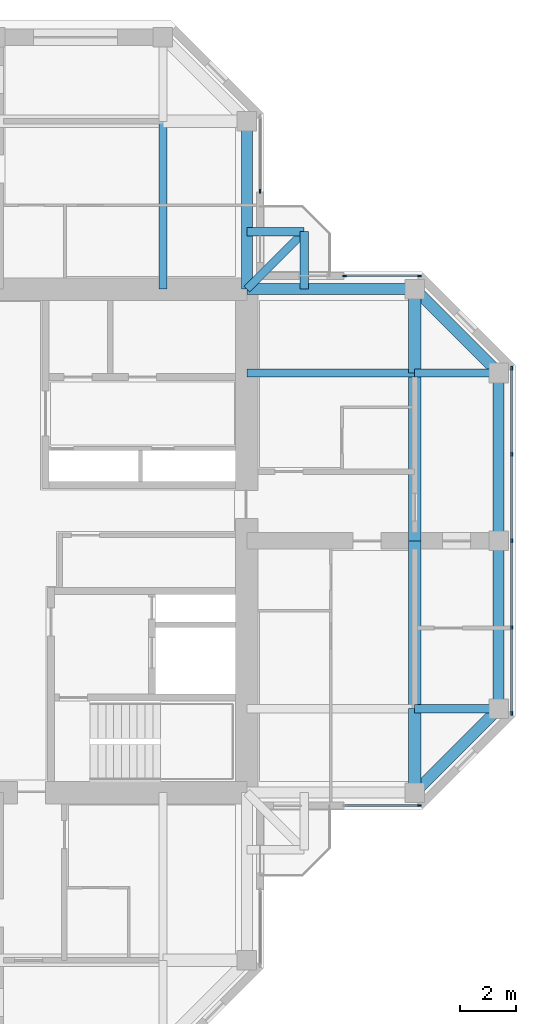
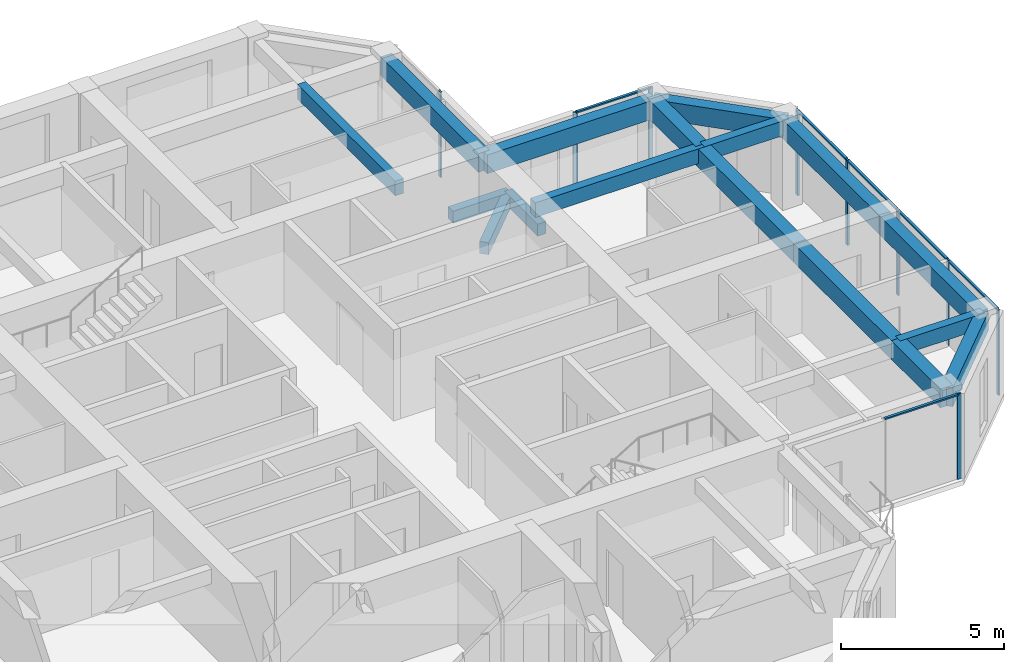
# One storey, part 5 of 13: 17 beams, 15 members, 4 elements without a shape of their own.
"""IFC4 building model written with IfcOpenShell, lengths in metres."""

from ifc_helpers import new_model, si_unit, direction, frame, origin, origin_2d, place, context, subcontext, project, spatial, rectangle, extrude, material, material_profile, profile_set, type_object, element, aggregate, save


model = new_model("IFC4")

# Units and contexts
model_context = context("Model", 3, precision=1e-05, world=origin(), true_north=direction((0.0, 1.0)))
body_context = subcontext(model_context, "Body", "Model", "MODEL_VIEW")
ifc_project = project(units=[si_unit("LENGTHUNIT", "METRE"), si_unit("AREAUNIT", "SQUARE_METRE"), si_unit("VOLUMEUNIT", "CUBIC_METRE"), si_unit("PLANEANGLEUNIT", "RADIAN"), si_unit("MASSUNIT", "GRAM", prefix="KILO")], contexts=[model_context])

# Site, building, storey
site_placement = place(None, origin())
site = spatial("IfcSite", under=ifc_project, at=site_placement, CompositionType="ELEMENT")
building_placement = place(site_placement, origin())
building = spatial("IfcBuilding", under=site, at=building_placement, Name="Torre Cruceta", CompositionType="ELEMENT")
storey_placement = place(building_placement, frame((0.0, 0.0, 284.89990234375)))
storey = spatial("IfcBuildingStorey", under=building, at=storey_placement, Name="L74", CompositionType="ELEMENT", Elevation=284.89990234375)

# Beams
ifc_material_1 = material(Name="Concrete G60 (fck 60 MPa)", Category="concrete")
ifc_material_profile_1 = material_profile(ifc_material_1, rectangle(XDim=0.300048828125, YDim=0.449951171875, at=origin_2d()), Name="RC 300X450")
ifc_profile_set_1 = profile_set([ifc_material_profile_1], Name="Concrete G60 (fck 60 MPa)")
beam_type_1 = type_object("IfcBeamType", Name="BALCONY CANTILEVER BEAM RC 300X450", PredefinedType="BEAM", material=ifc_profile_set_1)
beam_1_placement = place(storey_placement, frame((9.0, 9.0, -0.40478515625), z_axis=(0.707106781187, 0.707106781187, 0.0), x_axis=(-0.707106781187, 0.707106781187, 0.0)))
element("IfcBeam", 1, at=beam_1_placement, inside=storey, type_object=beam_type_1, Name="BB1 balcony beam L74 E", PredefinedType="BEAM", context=body_context, shape_type="SweptSolid", body=[
    extrude(rectangle(XDim=0.300048828125, YDim=0.449951171875, at=origin_2d()), origin(), (0.0, 0.0, 1.0), 2.89990234375),
])
for number, where, z_axis, x_axis, name in (
    (2, (11.050537109375, 9.0, -0.40478515625), (0.0, 1.0, 0.0), (-1.0, 0.0, 0.0), "BB1 balcony edge beam L74 E-X"),
    (3, (9.0, 11.050537109375, -0.40478515625), (1.0, 0.0, 0.0), (0.0, 1.0, 0.0), "BB1 balcony edge beam L74 E-Y"),
):
    element("IfcBeam", number, at=place(storey_placement, frame(where, z_axis=z_axis, x_axis=x_axis)), inside=storey, type_object=beam_type_1, Name=name, PredefinedType="BEAM", context=body_context, shape_type="SweptSolid", body=[
        extrude(rectangle(XDim=0.300048828125, YDim=0.449951171875, at=origin_2d()), origin(), (0.0, 0.0, 1.0), 2.050537109375),
    ])
ifc_material_2 = material(Name="Concrete G60 (fck 60 MPa)", Category="concrete")
ifc_material_profile_2 = material_profile(ifc_material_2, rectangle(XDim=0.300048828125, YDim=0.550048828125, at=origin_2d()), Name="RC 300X550")
ifc_profile_set_2 = profile_set([ifc_material_profile_2], Name="Concrete G60 (fck 60 MPa)")
beam_type_2 = type_object("IfcBeamType", Name="COLUMN LINE BEAM RC 300X550", PredefinedType="BEAM", material=ifc_profile_set_2)
beam_2_placement = place(storey_placement, frame((6.0, 9.0, 2.925048828125), z_axis=(0.0, 1.0, 0.0), x_axis=(-1.0, 0.0, 0.0)))
element("IfcBeam", 4, at=beam_2_placement, inside=storey, type_object=beam_type_2, Name="LB10 L74 N col- 1", PredefinedType="BEAM", context=body_context, shape_type="SweptSolid", body=[
    extrude(rectangle(XDim=0.300048828125, YDim=0.550048828125, at=origin_2d()), origin(), (0.0, 0.0, 1.0), 6.0),
])
beam_3_placement = place(storey_placement, frame((15.0, -6.0, 2.925048828125), z_axis=(1.0, 0.0, 0.0), x_axis=(0.0, 1.0, 0.0)))
element("IfcBeam", 5, at=beam_3_placement, inside=storey, type_object=beam_type_2, Name="LB10 L74 E col- 2", PredefinedType="BEAM", context=body_context, shape_type="SweptSolid", body=[
    extrude(rectangle(XDim=0.300048828125, YDim=0.550048828125, at=origin_2d()), origin(), (0.0, 0.0, 1.0), 3.0),
])
beam_4_placement = place(storey_placement, frame((9.0, 6.0, 2.925048828125), z_axis=(1.0, 0.0, 0.0), x_axis=(0.0, 1.0, 0.0)))
element("IfcBeam", 6, at=beam_4_placement, inside=storey, type_object=beam_type_2, Name="LB10 L74 E col+ 1", PredefinedType="BEAM", context=body_context, shape_type="SweptSolid", body=[
    extrude(rectangle(XDim=0.300048828125, YDim=0.550048828125, at=origin_2d()), origin(), (0.0, 0.0, 1.0), 6.0),
])
beam_5_placement = place(storey_placement, frame((15.0, 6.0, 2.925048828125), z_axis=(1.0, 0.0, 0.0), x_axis=(0.0, 1.0, 0.0)))
element("IfcBeam", 7, at=beam_5_placement, inside=storey, type_object=beam_type_2, Name="LB10 L74 E col+ 2", PredefinedType="BEAM", context=body_context, shape_type="SweptSolid", body=[
    extrude(rectangle(XDim=0.300048828125, YDim=0.550048828125, at=origin_2d()), origin(), (0.0, 0.0, 1.0), 3.0),
])
ifc_material_3 = material(Name="Concrete G60 (fck 60 MPa)", Category="concrete")
ifc_material_profile_3 = material_profile(ifc_material_3, rectangle(XDim=0.449951171875, YDim=0.699951171875, at=origin_2d()), Name="RC 450X700")
ifc_profile_set_3 = profile_set([ifc_material_profile_3], Name="Concrete G60 (fck 60 MPa)")
beam_type_3 = type_object("IfcBeamType", Name="CROSS BEAM RC 450X700", PredefinedType="BEAM", material=ifc_profile_set_3)
beam_6_placement = place(storey_placement, frame((15.0, -9.0, 2.85009765625), z_axis=(0.0, 1.0, 0.0), x_axis=(-1.0, 0.0, 0.0)))
element("IfcBeam", 8, at=beam_6_placement, inside=storey, type_object=beam_type_3, Name="GB8 L74 E cross15 1", PredefinedType="BEAM", context=body_context, shape_type="SweptSolid", body=[
    extrude(rectangle(XDim=0.449951171875, YDim=0.699951171875, at=origin_2d()), origin(), (0.0, 0.0, 1.0), 3.0),
])
for number, where, z_axis, x_axis, name in (
    (9, (15.0, -6.0, 2.85009765625), (0.0, 1.0, 0.0), (-1.0, 0.0, 0.0), "GB8 L74 E cross15 2"),
    (10, (15.0, 0.0, 2.85009765625), (0.0, 1.0, 0.0), (-1.0, 0.0, 0.0), "GB8 L74 E cross15 3"),
):
    element("IfcBeam", number, at=place(storey_placement, frame(where, z_axis=z_axis, x_axis=x_axis)), inside=storey, type_object=beam_type_3, Name=name, PredefinedType="BEAM", context=body_context, shape_type="SweptSolid", body=[
        extrude(rectangle(XDim=0.449951171875, YDim=0.699951171875, at=origin_2d()), origin(), (0.0, 0.0, 1.0), 6.0),
    ])
beam_7_placement = place(storey_placement, frame((15.0, 6.0, 2.85009765625), z_axis=(0.0, 1.0, 0.0), x_axis=(-1.0, 0.0, 0.0)))
element("IfcBeam", 11, at=beam_7_placement, inside=storey, type_object=beam_type_3, Name="GB8 L74 E cross15 4", PredefinedType="BEAM", context=body_context, shape_type="SweptSolid", body=[
    extrude(rectangle(XDim=0.449951171875, YDim=0.699951171875, at=origin_2d()), origin(), (0.0, 0.0, 1.0), 3.0),
])

# Curtain wall, member
ifc_material_4 = material(Name="Aluminium unitised curtain wall", Category="aluminium")
curtain_wall_type = type_object("IfcCurtainWallType", Name="CURTAIN WALL CW-E CO-LIVING TOP", PredefinedType="USERDEFINED", material=ifc_material_4)
curtain_wall_1_placement = place(storey_placement, origin())
curtain_wall_1 = element("IfcCurtainWall", 12, at=curtain_wall_1_placement, inside=storey, type_object=curtain_wall_type, Name="CW-E L74 E side 00", ObjectType="UNITISED", PredefinedType="USERDEFINED")
ifc_material_5 = material(Name="Aluminium mullion", Category="aluminium")
ifc_material_profile_4 = material_profile(ifc_material_5, rectangle(XDim=0.054931640625, YDim=0.139892578125, at=origin_2d()), Name="AL 55X140")
ifc_profile_set_4 = profile_set([ifc_material_profile_4], Name="Aluminium mullion")
member_type_1 = type_object("IfcMemberType", Name="CW-E MULLION 55X140", PredefinedType="MULLION", material=ifc_profile_set_4)
member_1_placement = place(storey_placement, frame((15.167236328125, -9.469970703125, 0.0), z_axis=(0.0, 0.0, 1.0), x_axis=(0.0, 1.0, 0.0)))
member_1 = element("IfcMember", 13, at=member_1_placement, type_object=member_type_1, Name="CW-E mullion 2", PredefinedType="MULLION", context=body_context, shape_type="SweptSolid", body=[
    extrude(rectangle(XDim=0.054931640625, YDim=0.139892578125, at=origin_2d()), origin(), (0.0, 0.0, 1.0), 3.2001953125),
])

# Curtain wall, members
curtain_wall_2_placement = place(storey_placement, origin())
curtain_wall_2 = element("IfcCurtainWall", 14, at=curtain_wall_2_placement, inside=storey, type_object=curtain_wall_type, Name="CW-E L74 E tip 02", ObjectType="UNITISED", PredefinedType="USERDEFINED")
member_2_placement = place(storey_placement, frame((18.469970703125, -6.167236328125, 0.0), z_axis=(0.0, 0.0, 1.0), x_axis=(-1.0, 0.0, 0.0)))
member_2 = element("IfcMember", 15, at=member_2_placement, type_object=member_type_1, Name="CW-E mullion 1", PredefinedType="MULLION", context=body_context, shape_type="SweptSolid", body=[
    extrude(rectangle(XDim=0.054931640625, YDim=0.139892578125, at=origin_2d()), origin(), (0.0, 0.0, 1.0), 3.2001953125),
])
member_3_placement = place(storey_placement, frame((18.469970703125, -3.097412109375, 0.0), z_axis=(0.0, 0.0, 1.0), x_axis=(-1.0, 0.0, 0.0)))
member_3 = element("IfcMember", 16, at=member_3_placement, type_object=member_type_1, Name="CW-E mullion 2", PredefinedType="MULLION", context=body_context, shape_type="SweptSolid", body=[
    extrude(rectangle(XDim=0.054931640625, YDim=0.139892578125, at=origin_2d()), origin(), (0.0, 0.0, 1.0), 3.2001953125),
])
member_4_placement = place(storey_placement, frame((18.469970703125, 0.0, 0.0), z_axis=(0.0, 0.0, 1.0), x_axis=(-1.0, 0.0, 0.0)))
member_4 = element("IfcMember", 17, at=member_4_placement, type_object=member_type_1, Name="CW-E mullion 3", PredefinedType="MULLION", context=body_context, shape_type="SweptSolid", body=[
    extrude(rectangle(XDim=0.054931640625, YDim=0.139892578125, at=origin_2d()), origin(), (0.0, 0.0, 1.0), 3.2001953125),
])
member_5_placement = place(storey_placement, frame((18.469970703125, 3.097412109375, 0.0), z_axis=(0.0, 0.0, 1.0), x_axis=(-1.0, 0.0, 0.0)))
member_5 = element("IfcMember", 18, at=member_5_placement, type_object=member_type_1, Name="CW-E mullion 4", PredefinedType="MULLION", context=body_context, shape_type="SweptSolid", body=[
    extrude(rectangle(XDim=0.054931640625, YDim=0.139892578125, at=origin_2d()), origin(), (0.0, 0.0, 1.0), 3.2001953125),
])
member_6_placement = place(storey_placement, frame((18.469970703125, 6.167236328125, 0.0), z_axis=(0.0, 0.0, 1.0), x_axis=(-1.0, 0.0, 0.0)))
member_6 = element("IfcMember", 19, at=member_6_placement, type_object=member_type_1, Name="CW-E mullion 5", PredefinedType="MULLION", context=body_context, shape_type="SweptSolid", body=[
    extrude(rectangle(XDim=0.054931640625, YDim=0.139892578125, at=origin_2d()), origin(), (0.0, 0.0, 1.0), 3.2001953125),
])

curtain_wall_3_placement = place(storey_placement, origin())
curtain_wall_3 = element("IfcCurtainWall", 20, at=curtain_wall_3_placement, inside=storey, type_object=curtain_wall_type, Name="CW-E L74 E side 04", ObjectType="UNITISED", PredefinedType="USERDEFINED")
member_7_placement = place(storey_placement, frame((15.167236328125, 9.469970703125, 0.0), z_axis=(0.0, 0.0, 1.0), x_axis=(0.0, -1.0, 0.0)))
member_7 = element("IfcMember", 21, at=member_7_placement, type_object=member_type_1, Name="CW-E mullion 1", PredefinedType="MULLION", context=body_context, shape_type="SweptSolid", body=[
    extrude(rectangle(XDim=0.054931640625, YDim=0.139892578125, at=origin_2d()), origin(), (0.0, 0.0, 1.0), 3.2001953125),
])
member_8_placement = place(storey_placement, frame((12.49755859375, 9.469970703125, 0.0), z_axis=(0.0, 0.0, 1.0), x_axis=(0.0, -1.0, 0.0)))
member_8 = element("IfcMember", 22, at=member_8_placement, type_object=member_type_1, Name="CW-E mullion 2", PredefinedType="MULLION", context=body_context, shape_type="SweptSolid", body=[
    extrude(rectangle(XDim=0.054931640625, YDim=0.139892578125, at=origin_2d()), origin(), (0.0, 0.0, 1.0), 3.2001953125),
])

# Curtain wall, member
curtain_wall_4_placement = place(storey_placement, origin())
curtain_wall_4 = element("IfcCurtainWall", 23, at=curtain_wall_4_placement, inside=storey, type_object=curtain_wall_type, Name="CW-E L74 N side 05", ObjectType="UNITISED", PredefinedType="USERDEFINED")
member_9_placement = place(storey_placement, frame((9.469970703125, 12.49755859375, 0.0), z_axis=(0.0, 0.0, 1.0), x_axis=(-1.0, 0.0, 0.0)))
member_9 = element("IfcMember", 24, at=member_9_placement, type_object=member_type_1, Name="CW-E mullion 1", PredefinedType="MULLION", context=body_context, shape_type="SweptSolid", body=[
    extrude(rectangle(XDim=0.054931640625, YDim=0.139892578125, at=origin_2d()), origin(), (0.0, 0.0, 1.0), 3.2001953125),
])
aggregate(curtain_wall_4, [member_9])

# Member
ifc_material_6 = material(Name="Aluminium transom", Category="aluminium")
ifc_material_profile_5 = material_profile(ifc_material_6, rectangle(XDim=0.090087890625, YDim=0.054931640625, at=origin_2d()), Name="AL 90X55")
ifc_profile_set_5 = profile_set([ifc_material_profile_5], Name="Aluminium transom")
member_type_2 = type_object("IfcMemberType", Name="CW-E TRANSOM 55X90", PredefinedType="USERDEFINED", material=ifc_profile_set_5)
member_10_placement = place(storey_placement, frame((12.52490234375, -9.469970703125, 3.172607421875), z_axis=(1.0, 0.0, 0.0), x_axis=(0.0, 1.0, 0.0)))
member_10 = element("IfcMember", 25, at=member_10_placement, type_object=member_type_2, Name="CW-E transom 1", ObjectType="TRANSOM", PredefinedType="USERDEFINED", context=body_context, shape_type="SweptSolid", body=[
    extrude(rectangle(XDim=0.090087890625, YDim=0.054931640625, at=origin_2d()), origin(), (0.0, 0.0, 1.0), 2.61474609375),
])

aggregate(curtain_wall_1, [member_1, member_10])

member_11_placement = place(storey_placement, frame((18.469970703125, -6.1396484375, 3.172607421875), z_axis=(0.0, 1.0, 0.0), x_axis=(-1.0, 0.0, 0.0)))
member_11 = element("IfcMember", 26, at=member_11_placement, type_object=member_type_2, Name="CW-E transom 1", ObjectType="TRANSOM", PredefinedType="USERDEFINED", context=body_context, shape_type="SweptSolid", body=[
    extrude(rectangle(XDim=0.090087890625, YDim=0.054931640625, at=origin_2d()), origin(), (0.0, 0.0, 1.0), 3.014892578125),
])

member_12_placement = place(storey_placement, frame((18.469970703125, -3.06982421875, 3.172607421875), z_axis=(0.0, 1.0, 0.0), x_axis=(-1.0, 0.0, 0.0)))
member_12 = element("IfcMember", 27, at=member_12_placement, type_object=member_type_2, Name="CW-E transom 2", ObjectType="TRANSOM", PredefinedType="USERDEFINED", context=body_context, shape_type="SweptSolid", body=[
    extrude(rectangle(XDim=0.090087890625, YDim=0.054931640625, at=origin_2d()), origin(), (0.0, 0.0, 1.0), 3.042236328125),
])

member_13_placement = place(storey_placement, frame((18.469970703125, 0.027587890625, 3.172607421875), z_axis=(0.0, 1.0, 0.0), x_axis=(-1.0, 0.0, 0.0)))
member_13 = element("IfcMember", 28, at=member_13_placement, type_object=member_type_2, Name="CW-E transom 3", ObjectType="TRANSOM", PredefinedType="USERDEFINED", context=body_context, shape_type="SweptSolid", body=[
    extrude(rectangle(XDim=0.090087890625, YDim=0.054931640625, at=origin_2d()), origin(), (0.0, 0.0, 1.0), 3.042236328125),
])

member_14_placement = place(storey_placement, frame((18.469970703125, 3.124755859375, 3.172607421875), z_axis=(0.0, 1.0, 0.0), x_axis=(-1.0, 0.0, 0.0)))
member_14 = element("IfcMember", 29, at=member_14_placement, type_object=member_type_2, Name="CW-E transom 4", ObjectType="TRANSOM", PredefinedType="USERDEFINED", context=body_context, shape_type="SweptSolid", body=[
    extrude(rectangle(XDim=0.090087890625, YDim=0.054931640625, at=origin_2d()), origin(), (0.0, 0.0, 1.0), 3.014892578125),
])

aggregate(curtain_wall_2, [member_2, member_3, member_4, member_5, member_6, member_11, member_12, member_13, member_14])

member_15_placement = place(storey_placement, frame((15.1396484375, 9.469970703125, 3.172607421875), z_axis=(-1.0, 0.0, 0.0), x_axis=(0.0, -1.0, 0.0)))
member_15 = element("IfcMember", 30, at=member_15_placement, type_object=member_type_2, Name="CW-E transom 1", ObjectType="TRANSOM", PredefinedType="USERDEFINED", context=body_context, shape_type="SweptSolid", body=[
    extrude(rectangle(XDim=0.090087890625, YDim=0.054931640625, at=origin_2d()), origin(), (0.0, 0.0, 1.0), 2.61474609375),
])

aggregate(curtain_wall_3, [member_7, member_8, member_15])

# Beams
ifc_material_7 = material(Name="Concrete G60 (fck 60 MPa)", Category="concrete")
ifc_material_profile_6 = material_profile(ifc_material_7, rectangle(XDim=0.39990234375, YDim=0.699951171875, at=origin_2d()), Name="RC 400X700")
ifc_profile_set_6 = profile_set([ifc_material_profile_6], Name="Concrete G60 (fck 60 MPa)")
beam_type_4 = type_object("IfcBeamType", Name="SPANDREL BEAM RC 400X700", PredefinedType="SPANDREL", material=ifc_profile_set_6)
beam_8_placement = place(storey_placement, frame((9.0, 9.0, 2.85009765625), z_axis=(0.0, 1.0, 0.0), x_axis=(-1.0, 0.0, 0.0)))
element("IfcBeam", 31, at=beam_8_placement, inside=storey, type_object=beam_type_4, Name="SB8 L74 N side- 1", PredefinedType="SPANDREL", context=body_context, shape_type="SweptSolid", body=[
    extrude(rectangle(XDim=0.39990234375, YDim=0.699951171875, at=origin_2d()), origin(), (0.0, 0.0, 1.0), 6.0),
])
beam_9_placement = place(storey_placement, frame((15.0, -9.0, 2.85009765625), z_axis=(0.707106781187, 0.707106781187, 0.0), x_axis=(-0.707106781187, 0.707106781187, 0.0)))
element("IfcBeam", 32, at=beam_9_placement, inside=storey, type_object=beam_type_4, Name="SB8 L74 E side- 2", PredefinedType="SPANDREL", context=body_context, shape_type="SweptSolid", body=[
    extrude(rectangle(XDim=0.39990234375, YDim=0.699951171875, at=origin_2d()), origin(), (0.0, 0.0, 1.0), 4.24267578125),
])
beam_10_placement = place(storey_placement, frame((9.0, 9.0, 2.85009765625), z_axis=(1.0, 0.0, 0.0), x_axis=(0.0, 1.0, 0.0)))
element("IfcBeam", 33, at=beam_10_placement, inside=storey, type_object=beam_type_4, Name="SB8 L74 E side+ 1", PredefinedType="SPANDREL", context=body_context, shape_type="SweptSolid", body=[
    extrude(rectangle(XDim=0.39990234375, YDim=0.699951171875, at=origin_2d()), origin(), (0.0, 0.0, 1.0), 6.0),
])
beam_11_placement = place(storey_placement, frame((15.0, 9.0, 2.85009765625), z_axis=(0.707106781187, -0.707106781187, 0.0), x_axis=(0.707106781187, 0.707106781187, 0.0)))
element("IfcBeam", 34, at=beam_11_placement, inside=storey, type_object=beam_type_4, Name="SB8 L74 E side+ 2", PredefinedType="SPANDREL", context=body_context, shape_type="SweptSolid", body=[
    extrude(rectangle(XDim=0.39990234375, YDim=0.699951171875, at=origin_2d()), origin(), (0.0, 0.0, 1.0), 4.24267578125),
])
for number, where, z_axis, x_axis, name in (
    (35, (18.0, -6.0, 2.85009765625), (0.0, 1.0, 0.0), (-1.0, 0.0, 0.0), "SB8 L74 E tip 1"),
    (36, (18.0, 0.0, 2.85009765625), (0.0, 1.0, 0.0), (-1.0, 0.0, 0.0), "SB8 L74 E tip 2"),
):
    element("IfcBeam", number, at=place(storey_placement, frame(where, z_axis=z_axis, x_axis=x_axis)), inside=storey, type_object=beam_type_4, Name=name, PredefinedType="SPANDREL", context=body_context, shape_type="SweptSolid", body=[
        extrude(rectangle(XDim=0.39990234375, YDim=0.699951171875, at=origin_2d()), origin(), (0.0, 0.0, 1.0), 6.0),
    ])

save(model, "model.ifc")
